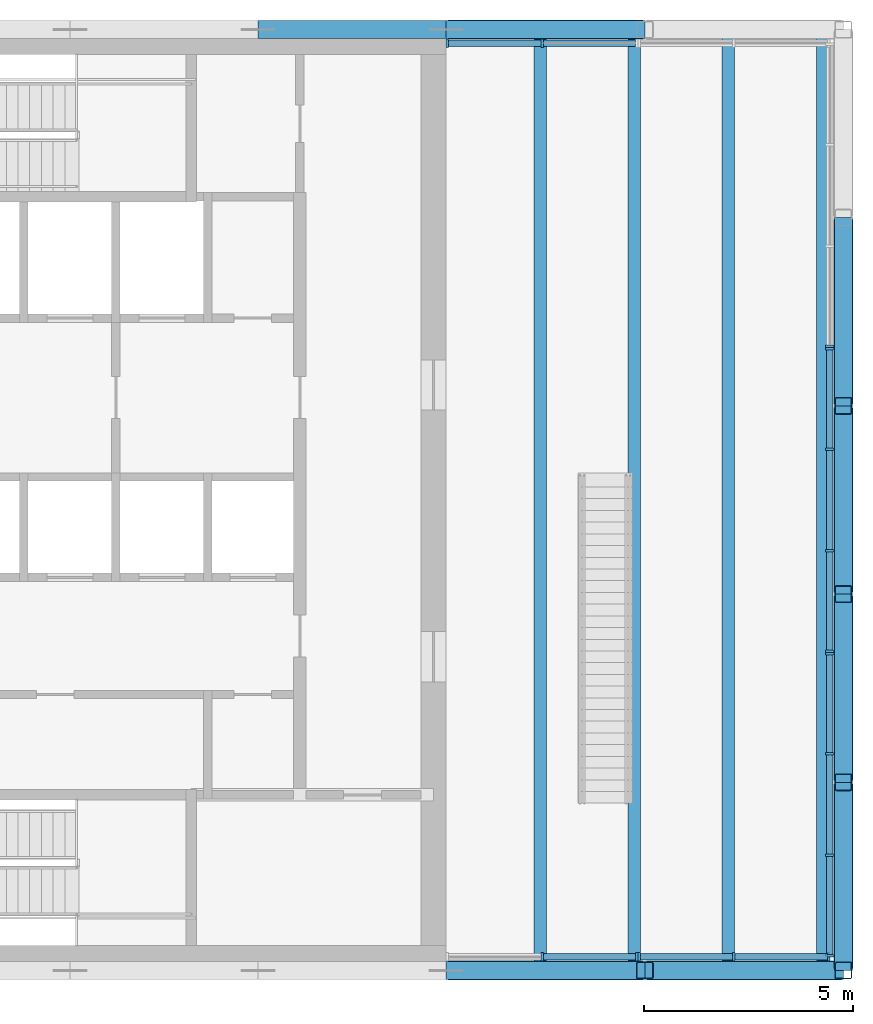
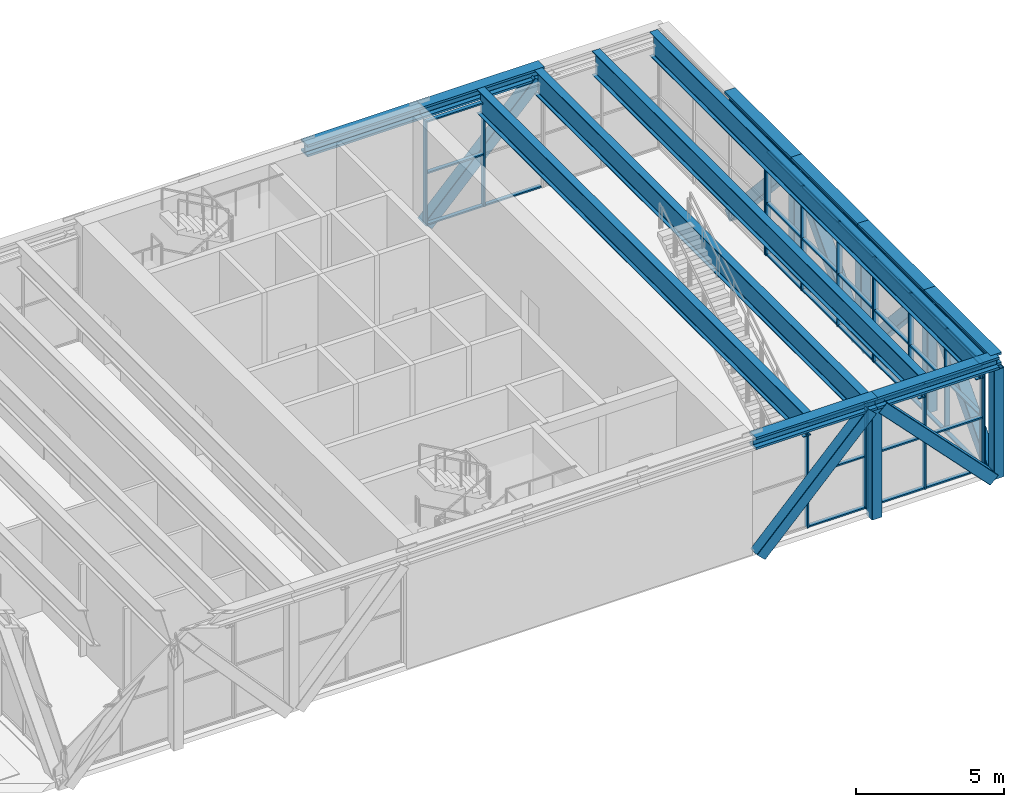
# One storey, part 3 of 13: 67 members, 4 beams, 6 elements without a shape of their own.
"""IFC4 building model written with IfcOpenShell, lengths in metres."""

from ifc_helpers import new_model, si_unit, direction, frame, origin, origin_2d, place, context, subcontext, project, spatial, rectangle, hollow_rectangle, i_section, extrude, material, material_profile, profile_set, type_object, element, aggregate, save


model = new_model("IFC4")

# Units and contexts
model_context = context("Model", 3, precision=1e-05, world=origin(), true_north=direction((0.0, 1.0)))
body_context = subcontext(model_context, "Body", "Model", "MODEL_VIEW")
ifc_project = project(units=[si_unit("LENGTHUNIT", "METRE"), si_unit("AREAUNIT", "SQUARE_METRE"), si_unit("VOLUMEUNIT", "CUBIC_METRE"), si_unit("PLANEANGLEUNIT", "RADIAN"), si_unit("MASSUNIT", "GRAM", prefix="KILO")], contexts=[model_context])

# Site, building, storey
site_placement = place(None, origin())
site = spatial("IfcSite", under=ifc_project, at=site_placement, CompositionType="ELEMENT")
building_placement = place(site_placement, origin())
building = spatial("IfcBuilding", under=site, at=building_placement, Name="Sennacour Bend Tower", CompositionType="ELEMENT")
storey_placement = place(building_placement, frame((0.0, 0.0, 345.5)))
storey = spatial("IfcBuildingStorey", under=building, at=storey_placement, Name="L79", CompositionType="ELEMENT", Elevation=345.5)

# Curtain wall, members
ifc_material_1 = material(Name="Bronze anodised aluminium curtain wall with clear glass", Category="aluminium")
curtain_wall_type = type_object("IfcCurtainWallType", Name="CURTAIN WALL LOUNGE", PredefinedType="NOTDEFINED", material=ifc_material_1)
curtain_wall_1_placement = place(storey_placement, origin())
curtain_wall_1 = element("IfcCurtainWall", 1, at=curtain_wall_1_placement, inside=storey, type_object=curtain_wall_type, Name="Sky lounge glass wall L79", PredefinedType="NOTDEFINED")
ifc_material_2 = material(Name="Aluminium 6063-T6", Category="aluminium")
ifc_material_profile_1 = material_profile(ifc_material_2, rectangle(XDim=0.199951171875, YDim=0.06005859375, at=origin_2d()), Name="Aluminium 6063-T6", Category="aluminium")
ifc_profile_set_1 = profile_set([ifc_material_profile_1], Name="Aluminium 6063-T6")
member_type_1 = type_object("IfcMemberType", Name="CW-MULLION-200X60", PredefinedType="MULLION", material=ifc_profile_set_1)
member_1_placement = place(storey_placement, frame((76.675048828125, 0.35498046875, 0.0), z_axis=(0.0, 0.0, 1.0), x_axis=(-1.0, 0.0, 0.0)))
member_1 = element("IfcMember", 2, at=member_1_placement, type_object=member_type_1, Name="GW4 curtain wall mullion 1", PredefinedType="MULLION", context=body_context, shape_type="SweptSolid", body=[
    extrude(rectangle(XDim=0.199951171875, YDim=0.06005859375, at=origin_2d()), origin(), (0.0, 0.0, 1.0), 4.302001953125),
])
member_2_placement = place(storey_placement, frame((76.675048828125, 2.752685546875, 0.0), z_axis=(0.0, 0.0, 1.0), x_axis=(-1.0, 0.0, 0.0)))
member_2 = element("IfcMember", 3, at=member_2_placement, type_object=member_type_1, Name="GW4 curtain wall mullion 2", PredefinedType="MULLION", context=body_context, shape_type="SweptSolid", body=[
    extrude(rectangle(XDim=0.199951171875, YDim=0.06005859375, at=origin_2d()), origin(), (0.0, 0.0, 1.0), 4.302001953125),
])
member_3_placement = place(storey_placement, frame((76.675048828125, 5.180419921875, 0.0), z_axis=(0.0, 0.0, 1.0), x_axis=(-1.0, 0.0, 0.0)))
member_3 = element("IfcMember", 4, at=member_3_placement, type_object=member_type_1, Name="GW4 curtain wall mullion 3", PredefinedType="MULLION", context=body_context, shape_type="SweptSolid", body=[
    extrude(rectangle(XDim=0.199951171875, YDim=0.06005859375, at=origin_2d()), origin(), (0.0, 0.0, 1.0), 4.302001953125),
])
member_4_placement = place(storey_placement, frame((76.675048828125, 7.578369140625, 0.0), z_axis=(0.0, 0.0, 1.0), x_axis=(-1.0, 0.0, 0.0)))
member_4 = element("IfcMember", 5, at=member_4_placement, type_object=member_type_1, Name="GW4 curtain wall mullion 4", PredefinedType="MULLION", context=body_context, shape_type="SweptSolid", body=[
    extrude(rectangle(XDim=0.199951171875, YDim=0.06005859375, at=origin_2d()), origin(), (0.0, 0.0, 1.0), 4.302001953125),
])

curtain_wall_2_placement = place(storey_placement, origin())
curtain_wall_2 = element("IfcCurtainWall", 6, at=curtain_wall_2_placement, inside=storey, type_object=curtain_wall_type, Name="Sky lounge glass wall L79", PredefinedType="NOTDEFINED")
member_5_placement = place(storey_placement, frame((76.675048828125, 7.63818359375, 0.0), z_axis=(0.0, 0.0, 1.0), x_axis=(-1.0, 0.0, 0.0)))
member_5 = element("IfcMember", 7, at=member_5_placement, type_object=member_type_1, Name="GW4 curtain wall mullion 1", PredefinedType="MULLION", context=body_context, shape_type="SweptSolid", body=[
    extrude(rectangle(XDim=0.199951171875, YDim=0.06005859375, at=origin_2d()), origin(), (0.0, 0.0, 1.0), 4.302001953125),
])
member_6_placement = place(storey_placement, frame((76.675048828125, 10.0361328125, 0.0), z_axis=(0.0, 0.0, 1.0), x_axis=(-1.0, 0.0, 0.0)))
member_6 = element("IfcMember", 8, at=member_6_placement, type_object=member_type_1, Name="GW4 curtain wall mullion 2", PredefinedType="MULLION", context=body_context, shape_type="SweptSolid", body=[
    extrude(rectangle(XDim=0.199951171875, YDim=0.06005859375, at=origin_2d()), origin(), (0.0, 0.0, 1.0), 4.302001953125),
])
member_7_placement = place(storey_placement, frame((76.675048828125, 12.4638671875, 0.0), z_axis=(0.0, 0.0, 1.0), x_axis=(-1.0, 0.0, 0.0)))
member_7 = element("IfcMember", 9, at=member_7_placement, type_object=member_type_1, Name="GW4 curtain wall mullion 3", PredefinedType="MULLION", context=body_context, shape_type="SweptSolid", body=[
    extrude(rectangle(XDim=0.199951171875, YDim=0.06005859375, at=origin_2d()), origin(), (0.0, 0.0, 1.0), 4.302001953125),
])
member_8_placement = place(storey_placement, frame((76.675048828125, 14.86181640625, 0.0), z_axis=(0.0, 0.0, 1.0), x_axis=(-1.0, 0.0, 0.0)))
member_8 = element("IfcMember", 10, at=member_8_placement, type_object=member_type_1, Name="GW4 curtain wall mullion 4", PredefinedType="MULLION", context=body_context, shape_type="SweptSolid", body=[
    extrude(rectangle(XDim=0.199951171875, YDim=0.06005859375, at=origin_2d()), origin(), (0.0, 0.0, 1.0), 4.302001953125),
])

# Curtain wall, member
curtain_wall_3_placement = place(storey_placement, origin())
curtain_wall_3 = element("IfcCurtainWall", 11, at=curtain_wall_3_placement, inside=storey, type_object=curtain_wall_type, Name="Sky lounge glass wall L79", PredefinedType="NOTDEFINED")
member_9_placement = place(storey_placement, frame((76.675048828125, 14.921630859375, 0.0), z_axis=(0.0, 0.0, 1.0), x_axis=(-1.0, 0.0, 0.0)))
member_9 = element("IfcMember", 12, at=member_9_placement, type_object=member_type_1, Name="GW4 curtain wall mullion 1", PredefinedType="MULLION", context=body_context, shape_type="SweptSolid", body=[
    extrude(rectangle(XDim=0.199951171875, YDim=0.06005859375, at=origin_2d()), origin(), (0.0, 0.0, 1.0), 4.302001953125),
])
aggregate(curtain_wall_3, [member_9])

# Curtain wall, members
curtain_wall_4_placement = place(storey_placement, origin())
curtain_wall_4 = element("IfcCurtainWall", 13, at=curtain_wall_4_placement, inside=storey, type_object=curtain_wall_type, Name="Sky lounge glass wall L79", PredefinedType="NOTDEFINED")
member_10_placement = place(storey_placement, frame((69.79443359375, 22.175048828125, 0.0), z_axis=(0.0, 0.0, 1.0), x_axis=(0.0, -1.0, 0.0)))
member_10 = element("IfcMember", 14, at=member_10_placement, type_object=member_type_1, Name="GW4 curtain wall mullion 2", PredefinedType="MULLION", context=body_context, shape_type="SweptSolid", body=[
    extrude(rectangle(XDim=0.199951171875, YDim=0.06005859375, at=origin_2d()), origin(), (0.0, 0.0, 1.0), 4.302001953125),
])
member_11_placement = place(storey_placement, frame((67.531005859375, 22.175048828125, 0.0), z_axis=(0.0, 0.0, 1.0), x_axis=(0.0, -1.0, 0.0)))
member_11 = element("IfcMember", 15, at=member_11_placement, type_object=member_type_1, Name="GW4 curtain wall mullion 3", PredefinedType="MULLION", context=body_context, shape_type="SweptSolid", body=[
    extrude(rectangle(XDim=0.199951171875, YDim=0.06005859375, at=origin_2d()), origin(), (0.0, 0.0, 1.0), 4.302001953125),
])

curtain_wall_5_placement = place(storey_placement, origin())
curtain_wall_5 = element("IfcCurtainWall", 16, at=curtain_wall_5_placement, inside=storey, type_object=curtain_wall_type, Name="Sky lounge glass wall L79", PredefinedType="NOTDEFINED")
member_12_placement = place(storey_placement, frame((69.79443359375, 0.324951171875, 0.0), z_axis=(0.0, 0.0, 1.0), x_axis=(0.0, 1.0, 0.0)))
member_12 = element("IfcMember", 17, at=member_12_placement, type_object=member_type_1, Name="GW4 curtain wall mullion 2", PredefinedType="MULLION", context=body_context, shape_type="SweptSolid", body=[
    extrude(rectangle(XDim=0.199951171875, YDim=0.06005859375, at=origin_2d()), origin(), (0.0, 0.0, 1.0), 4.302001953125),
])
member_13_placement = place(storey_placement, frame((72.05810546875, 0.324951171875, 0.0), z_axis=(0.0, 0.0, 1.0), x_axis=(0.0, 1.0, 0.0)))
member_13 = element("IfcMember", 18, at=member_13_placement, type_object=member_type_1, Name="GW4 curtain wall mullion 3", PredefinedType="MULLION", context=body_context, shape_type="SweptSolid", body=[
    extrude(rectangle(XDim=0.199951171875, YDim=0.06005859375, at=origin_2d()), origin(), (0.0, 0.0, 1.0), 4.302001953125),
])

curtain_wall_6_placement = place(storey_placement, origin())
curtain_wall_6 = element("IfcCurtainWall", 19, at=curtain_wall_6_placement, inside=storey, type_object=curtain_wall_type, Name="Sky lounge glass wall L79", PredefinedType="NOTDEFINED")
member_14_placement = place(storey_placement, frame((72.117919921875, 0.324951171875, 0.0), z_axis=(0.0, 0.0, 1.0), x_axis=(0.0, 1.0, 0.0)))
member_14 = element("IfcMember", 20, at=member_14_placement, type_object=member_type_1, Name="GW4 curtain wall mullion 1", PredefinedType="MULLION", context=body_context, shape_type="SweptSolid", body=[
    extrude(rectangle(XDim=0.199951171875, YDim=0.06005859375, at=origin_2d()), origin(), (0.0, 0.0, 1.0), 4.302001953125),
])
member_15_placement = place(storey_placement, frame((74.381591796875, 0.324951171875, 0.0), z_axis=(0.0, 0.0, 1.0), x_axis=(0.0, 1.0, 0.0)))
member_15 = element("IfcMember", 21, at=member_15_placement, type_object=member_type_1, Name="GW4 curtain wall mullion 2", PredefinedType="MULLION", context=body_context, shape_type="SweptSolid", body=[
    extrude(rectangle(XDim=0.199951171875, YDim=0.06005859375, at=origin_2d()), origin(), (0.0, 0.0, 1.0), 4.302001953125),
])
member_16_placement = place(storey_placement, frame((76.64501953125, 0.324951171875, 0.0), z_axis=(0.0, 0.0, 1.0), x_axis=(0.0, 1.0, 0.0)))
member_16 = element("IfcMember", 22, at=member_16_placement, type_object=member_type_1, Name="GW4 curtain wall mullion 3", PredefinedType="MULLION", context=body_context, shape_type="SweptSolid", body=[
    extrude(rectangle(XDim=0.199951171875, YDim=0.06005859375, at=origin_2d()), origin(), (0.0, 0.0, 1.0), 4.302001953125),
])

# Member
ifc_material_profile_2 = material_profile(ifc_material_2, rectangle(XDim=0.14990234375, YDim=0.06005859375, at=origin_2d()), Name="Aluminium 6063-T6", Category="aluminium")
ifc_profile_set_2 = profile_set([ifc_material_profile_2], Name="Aluminium 6063-T6")
member_type_2 = type_object("IfcMemberType", Name="CW-TRANSOM-150X60", PredefinedType="USERDEFINED", material=ifc_profile_set_2)
member_17_placement = place(storey_placement, frame((76.675048828125, 0.385009765625, 0.030029296875), z_axis=(0.0, 1.0, 0.0), x_axis=(-1.0, 0.0, 0.0)))
member_17 = element("IfcMember", 23, at=member_17_placement, type_object=member_type_2, Name="GW4 curtain wall transom 1.1", ObjectType="TRANSOM", PredefinedType="USERDEFINED", context=body_context, shape_type="SweptSolid", body=[
    extrude(rectangle(XDim=0.14990234375, YDim=0.06005859375, at=origin_2d()), origin(), (0.0, 0.0, 1.0), 2.337646484375),
])

member_18_placement = place(storey_placement, frame((76.675048828125, 0.385009765625, 2.15087890625), z_axis=(0.0, 1.0, 0.0), x_axis=(-1.0, 0.0, 0.0)))
member_18 = element("IfcMember", 24, at=member_18_placement, type_object=member_type_2, Name="GW4 curtain wall transom 1.2", ObjectType="TRANSOM", PredefinedType="USERDEFINED", context=body_context, shape_type="SweptSolid", body=[
    extrude(rectangle(XDim=0.14990234375, YDim=0.06005859375, at=origin_2d()), origin(), (0.0, 0.0, 1.0), 2.337646484375),
])

member_19_placement = place(storey_placement, frame((76.675048828125, 0.385009765625, 4.27197265625), z_axis=(0.0, 1.0, 0.0), x_axis=(-1.0, 0.0, 0.0)))
member_19 = element("IfcMember", 25, at=member_19_placement, type_object=member_type_2, Name="GW4 curtain wall transom 1.3", ObjectType="TRANSOM", PredefinedType="USERDEFINED", context=body_context, shape_type="SweptSolid", body=[
    extrude(rectangle(XDim=0.14990234375, YDim=0.06005859375, at=origin_2d()), origin(), (0.0, 0.0, 1.0), 2.337646484375),
])

member_20_placement = place(storey_placement, frame((76.675048828125, 2.78271484375, 0.030029296875), z_axis=(0.0, 1.0, 0.0), x_axis=(-1.0, 0.0, 0.0)))
member_20 = element("IfcMember", 26, at=member_20_placement, type_object=member_type_2, Name="GW4 curtain wall transom 2.1", ObjectType="TRANSOM", PredefinedType="USERDEFINED", context=body_context, shape_type="SweptSolid", body=[
    extrude(rectangle(XDim=0.14990234375, YDim=0.06005859375, at=origin_2d()), origin(), (0.0, 0.0, 1.0), 2.367919921875),
])

member_21_placement = place(storey_placement, frame((76.675048828125, 2.78271484375, 2.15087890625), z_axis=(0.0, 1.0, 0.0), x_axis=(-1.0, 0.0, 0.0)))
member_21 = element("IfcMember", 27, at=member_21_placement, type_object=member_type_2, Name="GW4 curtain wall transom 2.2", ObjectType="TRANSOM", PredefinedType="USERDEFINED", context=body_context, shape_type="SweptSolid", body=[
    extrude(rectangle(XDim=0.14990234375, YDim=0.06005859375, at=origin_2d()), origin(), (0.0, 0.0, 1.0), 2.367919921875),
])

member_22_placement = place(storey_placement, frame((76.675048828125, 2.78271484375, 4.27197265625), z_axis=(0.0, 1.0, 0.0), x_axis=(-1.0, 0.0, 0.0)))
member_22 = element("IfcMember", 28, at=member_22_placement, type_object=member_type_2, Name="GW4 curtain wall transom 2.3", ObjectType="TRANSOM", PredefinedType="USERDEFINED", context=body_context, shape_type="SweptSolid", body=[
    extrude(rectangle(XDim=0.14990234375, YDim=0.06005859375, at=origin_2d()), origin(), (0.0, 0.0, 1.0), 2.367919921875),
])

member_23_placement = place(storey_placement, frame((76.675048828125, 5.21044921875, 0.030029296875), z_axis=(0.0, 1.0, 0.0), x_axis=(-1.0, 0.0, 0.0)))
member_23 = element("IfcMember", 29, at=member_23_placement, type_object=member_type_2, Name="GW4 curtain wall transom 3.1", ObjectType="TRANSOM", PredefinedType="USERDEFINED", context=body_context, shape_type="SweptSolid", body=[
    extrude(rectangle(XDim=0.14990234375, YDim=0.06005859375, at=origin_2d()), origin(), (0.0, 0.0, 1.0), 2.337890625),
])

member_24_placement = place(storey_placement, frame((76.675048828125, 5.21044921875, 2.15087890625), z_axis=(0.0, 1.0, 0.0), x_axis=(-1.0, 0.0, 0.0)))
member_24 = element("IfcMember", 30, at=member_24_placement, type_object=member_type_2, Name="GW4 curtain wall transom 3.2", ObjectType="TRANSOM", PredefinedType="USERDEFINED", context=body_context, shape_type="SweptSolid", body=[
    extrude(rectangle(XDim=0.14990234375, YDim=0.06005859375, at=origin_2d()), origin(), (0.0, 0.0, 1.0), 2.337890625),
])

member_25_placement = place(storey_placement, frame((76.675048828125, 5.21044921875, 4.27197265625), z_axis=(0.0, 1.0, 0.0), x_axis=(-1.0, 0.0, 0.0)))
member_25 = element("IfcMember", 31, at=member_25_placement, type_object=member_type_2, Name="GW4 curtain wall transom 3.3", ObjectType="TRANSOM", PredefinedType="USERDEFINED", context=body_context, shape_type="SweptSolid", body=[
    extrude(rectangle(XDim=0.14990234375, YDim=0.06005859375, at=origin_2d()), origin(), (0.0, 0.0, 1.0), 2.337890625),
])

aggregate(curtain_wall_1, [member_1, member_2, member_3, member_4, member_17, member_18, member_19, member_20, member_21, member_22, member_23, member_24, member_25])

member_26_placement = place(storey_placement, frame((76.675048828125, 7.668212890625, 0.030029296875), z_axis=(0.0, 1.0, 0.0), x_axis=(-1.0, 0.0, 0.0)))
member_26 = element("IfcMember", 32, at=member_26_placement, type_object=member_type_2, Name="GW4 curtain wall transom 1.1", ObjectType="TRANSOM", PredefinedType="USERDEFINED", context=body_context, shape_type="SweptSolid", body=[
    extrude(rectangle(XDim=0.14990234375, YDim=0.06005859375, at=origin_2d()), origin(), (0.0, 0.0, 1.0), 2.337890625),
])

member_27_placement = place(storey_placement, frame((76.675048828125, 7.668212890625, 2.15087890625), z_axis=(0.0, 1.0, 0.0), x_axis=(-1.0, 0.0, 0.0)))
member_27 = element("IfcMember", 33, at=member_27_placement, type_object=member_type_2, Name="GW4 curtain wall transom 1.2", ObjectType="TRANSOM", PredefinedType="USERDEFINED", context=body_context, shape_type="SweptSolid", body=[
    extrude(rectangle(XDim=0.14990234375, YDim=0.06005859375, at=origin_2d()), origin(), (0.0, 0.0, 1.0), 2.337890625),
])

member_28_placement = place(storey_placement, frame((76.675048828125, 7.668212890625, 4.27197265625), z_axis=(0.0, 1.0, 0.0), x_axis=(-1.0, 0.0, 0.0)))
member_28 = element("IfcMember", 34, at=member_28_placement, type_object=member_type_2, Name="GW4 curtain wall transom 1.3", ObjectType="TRANSOM", PredefinedType="USERDEFINED", context=body_context, shape_type="SweptSolid", body=[
    extrude(rectangle(XDim=0.14990234375, YDim=0.06005859375, at=origin_2d()), origin(), (0.0, 0.0, 1.0), 2.337890625),
])

member_29_placement = place(storey_placement, frame((76.675048828125, 10.066162109375, 0.030029296875), z_axis=(0.0, 1.0, 0.0), x_axis=(-1.0, 0.0, 0.0)))
member_29 = element("IfcMember", 35, at=member_29_placement, type_object=member_type_2, Name="GW4 curtain wall transom 2.1", ObjectType="TRANSOM", PredefinedType="USERDEFINED", context=body_context, shape_type="SweptSolid", body=[
    extrude(rectangle(XDim=0.14990234375, YDim=0.06005859375, at=origin_2d()), origin(), (0.0, 0.0, 1.0), 2.36767578125),
])

member_30_placement = place(storey_placement, frame((76.675048828125, 10.066162109375, 2.15087890625), z_axis=(0.0, 1.0, 0.0), x_axis=(-1.0, 0.0, 0.0)))
member_30 = element("IfcMember", 36, at=member_30_placement, type_object=member_type_2, Name="GW4 curtain wall transom 2.2", ObjectType="TRANSOM", PredefinedType="USERDEFINED", context=body_context, shape_type="SweptSolid", body=[
    extrude(rectangle(XDim=0.14990234375, YDim=0.06005859375, at=origin_2d()), origin(), (0.0, 0.0, 1.0), 2.36767578125),
])

member_31_placement = place(storey_placement, frame((76.675048828125, 10.066162109375, 4.27197265625), z_axis=(0.0, 1.0, 0.0), x_axis=(-1.0, 0.0, 0.0)))
member_31 = element("IfcMember", 37, at=member_31_placement, type_object=member_type_2, Name="GW4 curtain wall transom 2.3", ObjectType="TRANSOM", PredefinedType="USERDEFINED", context=body_context, shape_type="SweptSolid", body=[
    extrude(rectangle(XDim=0.14990234375, YDim=0.06005859375, at=origin_2d()), origin(), (0.0, 0.0, 1.0), 2.36767578125),
])

member_32_placement = place(storey_placement, frame((76.675048828125, 12.493896484375, 0.030029296875), z_axis=(0.0, 1.0, 0.0), x_axis=(-1.0, 0.0, 0.0)))
member_32 = element("IfcMember", 38, at=member_32_placement, type_object=member_type_2, Name="GW4 curtain wall transom 3.1", ObjectType="TRANSOM", PredefinedType="USERDEFINED", context=body_context, shape_type="SweptSolid", body=[
    extrude(rectangle(XDim=0.14990234375, YDim=0.06005859375, at=origin_2d()), origin(), (0.0, 0.0, 1.0), 2.337890625),
])

member_33_placement = place(storey_placement, frame((76.675048828125, 12.493896484375, 2.15087890625), z_axis=(0.0, 1.0, 0.0), x_axis=(-1.0, 0.0, 0.0)))
member_33 = element("IfcMember", 39, at=member_33_placement, type_object=member_type_2, Name="GW4 curtain wall transom 3.2", ObjectType="TRANSOM", PredefinedType="USERDEFINED", context=body_context, shape_type="SweptSolid", body=[
    extrude(rectangle(XDim=0.14990234375, YDim=0.06005859375, at=origin_2d()), origin(), (0.0, 0.0, 1.0), 2.337890625),
])

member_34_placement = place(storey_placement, frame((76.675048828125, 12.493896484375, 4.27197265625), z_axis=(0.0, 1.0, 0.0), x_axis=(-1.0, 0.0, 0.0)))
member_34 = element("IfcMember", 40, at=member_34_placement, type_object=member_type_2, Name="GW4 curtain wall transom 3.3", ObjectType="TRANSOM", PredefinedType="USERDEFINED", context=body_context, shape_type="SweptSolid", body=[
    extrude(rectangle(XDim=0.14990234375, YDim=0.06005859375, at=origin_2d()), origin(), (0.0, 0.0, 1.0), 2.337890625),
])

aggregate(curtain_wall_2, [member_5, member_6, member_7, member_8, member_26, member_27, member_28, member_29, member_30, member_31, member_32, member_33, member_34])

member_35_placement = place(storey_placement, frame((72.028076171875, 22.175048828125, 0.030029296875), z_axis=(-1.0, 0.0, 0.0), x_axis=(0.0, -1.0, 0.0)))
member_35 = element("IfcMember", 41, at=member_35_placement, type_object=member_type_2, Name="GW4 curtain wall transom 1.1", ObjectType="TRANSOM", PredefinedType="USERDEFINED", context=body_context, shape_type="SweptSolid", body=[
    extrude(rectangle(XDim=0.14990234375, YDim=0.06005859375, at=origin_2d()), origin(), (0.0, 0.0, 1.0), 2.20361328125),
])

member_36_placement = place(storey_placement, frame((69.764404296875, 22.175048828125, 0.030029296875), z_axis=(-1.0, 0.0, 0.0), x_axis=(0.0, -1.0, 0.0)))
member_36 = element("IfcMember", 42, at=member_36_placement, type_object=member_type_2, Name="GW4 curtain wall transom 2.1", ObjectType="TRANSOM", PredefinedType="USERDEFINED", context=body_context, shape_type="SweptSolid", body=[
    extrude(rectangle(XDim=0.14990234375, YDim=0.06005859375, at=origin_2d()), origin(), (0.0, 0.0, 1.0), 2.203369140625),
])

member_37_placement = place(storey_placement, frame((69.764404296875, 22.175048828125, 2.15087890625), z_axis=(-1.0, 0.0, 0.0), x_axis=(0.0, -1.0, 0.0)))
member_37 = element("IfcMember", 43, at=member_37_placement, type_object=member_type_2, Name="GW4 curtain wall transom 2.2", ObjectType="TRANSOM", PredefinedType="USERDEFINED", context=body_context, shape_type="SweptSolid", body=[
    extrude(rectangle(XDim=0.14990234375, YDim=0.06005859375, at=origin_2d()), origin(), (0.0, 0.0, 1.0), 2.203369140625),
])

member_38_placement = place(storey_placement, frame((69.764404296875, 22.175048828125, 4.27197265625), z_axis=(-1.0, 0.0, 0.0), x_axis=(0.0, -1.0, 0.0)))
member_38 = element("IfcMember", 44, at=member_38_placement, type_object=member_type_2, Name="GW4 curtain wall transom 2.3", ObjectType="TRANSOM", PredefinedType="USERDEFINED", context=body_context, shape_type="SweptSolid", body=[
    extrude(rectangle(XDim=0.14990234375, YDim=0.06005859375, at=origin_2d()), origin(), (0.0, 0.0, 1.0), 2.203369140625),
])

aggregate(curtain_wall_4, [member_10, member_11, member_35, member_36, member_37, member_38])

member_39_placement = place(storey_placement, frame((69.824462890625, 0.324951171875, 0.030029296875), z_axis=(1.0, 0.0, 0.0), x_axis=(0.0, 1.0, 0.0)))
member_39 = element("IfcMember", 45, at=member_39_placement, type_object=member_type_2, Name="GW4 curtain wall transom 2.1", ObjectType="TRANSOM", PredefinedType="USERDEFINED", context=body_context, shape_type="SweptSolid", body=[
    extrude(rectangle(XDim=0.14990234375, YDim=0.06005859375, at=origin_2d()), origin(), (0.0, 0.0, 1.0), 2.20361328125),
])

member_40_placement = place(storey_placement, frame((69.824462890625, 0.324951171875, 2.15087890625), z_axis=(1.0, 0.0, 0.0), x_axis=(0.0, 1.0, 0.0)))
member_40 = element("IfcMember", 46, at=member_40_placement, type_object=member_type_2, Name="GW4 curtain wall transom 2.2", ObjectType="TRANSOM", PredefinedType="USERDEFINED", context=body_context, shape_type="SweptSolid", body=[
    extrude(rectangle(XDim=0.14990234375, YDim=0.06005859375, at=origin_2d()), origin(), (0.0, 0.0, 1.0), 2.20361328125),
])

member_41_placement = place(storey_placement, frame((69.824462890625, 0.324951171875, 4.27197265625), z_axis=(1.0, 0.0, 0.0), x_axis=(0.0, 1.0, 0.0)))
member_41 = element("IfcMember", 47, at=member_41_placement, type_object=member_type_2, Name="GW4 curtain wall transom 2.3", ObjectType="TRANSOM", PredefinedType="USERDEFINED", context=body_context, shape_type="SweptSolid", body=[
    extrude(rectangle(XDim=0.14990234375, YDim=0.06005859375, at=origin_2d()), origin(), (0.0, 0.0, 1.0), 2.20361328125),
])

aggregate(curtain_wall_5, [member_12, member_13, member_39, member_40, member_41])

member_42_placement = place(storey_placement, frame((72.14794921875, 0.324951171875, 0.030029296875), z_axis=(1.0, 0.0, 0.0), x_axis=(0.0, 1.0, 0.0)))
member_42 = element("IfcMember", 48, at=member_42_placement, type_object=member_type_2, Name="GW4 curtain wall transom 1.1", ObjectType="TRANSOM", PredefinedType="USERDEFINED", context=body_context, shape_type="SweptSolid", body=[
    extrude(rectangle(XDim=0.14990234375, YDim=0.06005859375, at=origin_2d()), origin(), (0.0, 0.0, 1.0), 2.20361328125),
])

member_43_placement = place(storey_placement, frame((72.14794921875, 0.324951171875, 2.15087890625), z_axis=(1.0, 0.0, 0.0), x_axis=(0.0, 1.0, 0.0)))
member_43 = element("IfcMember", 49, at=member_43_placement, type_object=member_type_2, Name="GW4 curtain wall transom 1.2", ObjectType="TRANSOM", PredefinedType="USERDEFINED", context=body_context, shape_type="SweptSolid", body=[
    extrude(rectangle(XDim=0.14990234375, YDim=0.06005859375, at=origin_2d()), origin(), (0.0, 0.0, 1.0), 2.20361328125),
])

member_44_placement = place(storey_placement, frame((72.14794921875, 0.324951171875, 4.27197265625), z_axis=(1.0, 0.0, 0.0), x_axis=(0.0, 1.0, 0.0)))
member_44 = element("IfcMember", 50, at=member_44_placement, type_object=member_type_2, Name="GW4 curtain wall transom 1.3", ObjectType="TRANSOM", PredefinedType="USERDEFINED", context=body_context, shape_type="SweptSolid", body=[
    extrude(rectangle(XDim=0.14990234375, YDim=0.06005859375, at=origin_2d()), origin(), (0.0, 0.0, 1.0), 2.20361328125),
])

member_45_placement = place(storey_placement, frame((74.41162109375, 0.324951171875, 0.030029296875), z_axis=(1.0, 0.0, 0.0), x_axis=(0.0, 1.0, 0.0)))
member_45 = element("IfcMember", 51, at=member_45_placement, type_object=member_type_2, Name="GW4 curtain wall transom 2.1", ObjectType="TRANSOM", PredefinedType="USERDEFINED", context=body_context, shape_type="SweptSolid", body=[
    extrude(rectangle(XDim=0.14990234375, YDim=0.06005859375, at=origin_2d()), origin(), (0.0, 0.0, 1.0), 2.203369140625),
])

member_46_placement = place(storey_placement, frame((74.41162109375, 0.324951171875, 2.15087890625), z_axis=(1.0, 0.0, 0.0), x_axis=(0.0, 1.0, 0.0)))
member_46 = element("IfcMember", 52, at=member_46_placement, type_object=member_type_2, Name="GW4 curtain wall transom 2.2", ObjectType="TRANSOM", PredefinedType="USERDEFINED", context=body_context, shape_type="SweptSolid", body=[
    extrude(rectangle(XDim=0.14990234375, YDim=0.06005859375, at=origin_2d()), origin(), (0.0, 0.0, 1.0), 2.203369140625),
])

member_47_placement = place(storey_placement, frame((74.41162109375, 0.324951171875, 4.27197265625), z_axis=(1.0, 0.0, 0.0), x_axis=(0.0, 1.0, 0.0)))
member_47 = element("IfcMember", 53, at=member_47_placement, type_object=member_type_2, Name="GW4 curtain wall transom 2.3", ObjectType="TRANSOM", PredefinedType="USERDEFINED", context=body_context, shape_type="SweptSolid", body=[
    extrude(rectangle(XDim=0.14990234375, YDim=0.06005859375, at=origin_2d()), origin(), (0.0, 0.0, 1.0), 2.203369140625),
])

aggregate(curtain_wall_6, [member_14, member_15, member_16, member_42, member_43, member_44, member_45, member_46, member_47])

# Beams
ifc_material_3 = material(Name="Steel ASTM A992 Grade 50", Category="steel")
ifc_material_profile_3 = material_profile(ifc_material_3, i_section(OverallWidth=0.300048828125, OverallDepth=0.990966796875, WebThickness=0.0166015625, FlangeThickness=0.030517578125, FilletRadius=0.030029296875, at=origin_2d()), Name="Steel ASTM A992 Grade 50", Category="steel")
ifc_profile_set_3 = profile_set([ifc_material_profile_3], Name="Steel ASTM A992 Grade 50")
beam_type = type_object("IfcBeamType", Name="Floor beam W1000X272", PredefinedType="BEAM", material=ifc_profile_set_3)
for number, where, z_axis, x_axis, name in (
    (54, (69.75, 0.216064453125, 4.304443359375), (0.0, 1.0, 0.0), (-1.0, 0.0, 0.0), "Floor beam FBM3 L80-006"),
    (55, (72.0, 0.216064453125, 4.304443359375), (0.0, 1.0, 0.0), (-1.0, 0.0, 0.0), "Floor beam FBM3 L80-007"),
    (56, (74.25, 0.216064453125, 4.304443359375), (0.0, 1.0, 0.0), (-1.0, 0.0, 0.0), "Floor beam FBM3 L80-008"),
    (57, (76.5, 0.216064453125, 4.304443359375), (0.0, 1.0, 0.0), (-1.0, 0.0, 0.0), "Floor beam FBM3 L80-009"),
):
    element("IfcBeam", number, at=place(storey_placement, frame(where, z_axis=z_axis, x_axis=x_axis)), inside=storey, type_object=beam_type, Name=name, PredefinedType="BEAM", context=body_context, shape_type="SweptSolid", body=[
        extrude(i_section(OverallWidth=0.300048828125, OverallDepth=0.990966796875, WebThickness=0.0166015625, FlangeThickness=0.030517578125, FilletRadius=0.030029296875, at=origin_2d()), origin(), (0.0, 0.0, 1.0), 22.06787109375),
    ])

# Members
ifc_material_profile_4 = material_profile(ifc_material_3, i_section(OverallWidth=0.431884765625, OverallDepth=0.498046875, WebThickness=0.0556640625, FlangeThickness=0.0888671875, FilletRadius=0.01513671875, at=origin_2d()), Name="Steel ASTM A992 Grade 50", Category="steel")
ifc_profile_set_4 = profile_set([ifc_material_profile_4], Name="Steel ASTM A992 Grade 50")
member_type_3 = type_object("IfcMemberType", Name="Lounge truss chord W360X744", PredefinedType="CHORD", material=ifc_profile_set_4)
for number, where, z_axis, x_axis, name in (
    (58, (67.5, 0.0, 4.551025390625), (1.0, 0.0, 0.0), (0.0, 1.0, 0.0), "Lounge truss chord LTC L80-007"),
    (59, (72.25, 0.0, 4.551025390625), (1.0, 0.0, 0.0), (0.0, 1.0, 0.0), "Lounge truss chord LTC L80-008"),
):
    element("IfcMember", number, at=place(storey_placement, frame(where, z_axis=z_axis, x_axis=x_axis)), inside=storey, type_object=member_type_3, Name=name, PredefinedType="CHORD", context=body_context, shape_type="SweptSolid", body=[
        extrude(i_section(OverallWidth=0.431884765625, OverallDepth=0.498046875, WebThickness=0.0556640625, FlangeThickness=0.0888671875, FilletRadius=0.01513671875, at=origin_2d()), origin(), (0.0, 0.0, 1.0), 4.75),
    ])
member_48_placement = place(storey_placement, frame((63.0, 22.5, 4.551025390625), z_axis=(1.0, 0.0, 0.0), x_axis=(0.0, 1.0, 0.0)))
element("IfcMember", 60, at=member_48_placement, inside=storey, type_object=member_type_3, Name="Lounge truss chord LTC L80-014", PredefinedType="CHORD", context=body_context, shape_type="SweptSolid", body=[
    extrude(i_section(OverallWidth=0.431884765625, OverallDepth=0.498046875, WebThickness=0.0556640625, FlangeThickness=0.0888671875, FilletRadius=0.01513671875, at=origin_2d()), origin(), (0.0, 0.0, 1.0), 4.5),
])
member_49_placement = place(storey_placement, frame((67.5, 22.5, 4.551025390625), z_axis=(1.0, 0.0, 0.0), x_axis=(0.0, 1.0, 0.0)))
element("IfcMember", 61, at=member_49_placement, inside=storey, type_object=member_type_3, Name="Lounge truss chord LTC L80-015", PredefinedType="CHORD", context=body_context, shape_type="SweptSolid", body=[
    extrude(i_section(OverallWidth=0.431884765625, OverallDepth=0.498046875, WebThickness=0.0556640625, FlangeThickness=0.0888671875, FilletRadius=0.01513671875, at=origin_2d()), origin(), (0.0, 0.0, 1.0), 4.75),
])
for number, where, z_axis, x_axis, name in (
    (62, (77.0, 0.0, 4.551025390625), (0.0, 1.0, 0.0), (-1.0, 0.0, 0.0), "Lounge truss chord LTC L80-022"),
    (63, (77.0, 4.5, 4.551025390625), (0.0, 1.0, 0.0), (-1.0, 0.0, 0.0), "Lounge truss chord LTC L80-023"),
    (64, (77.0, 9.0, 4.551025390625), (0.0, 1.0, 0.0), (-1.0, 0.0, 0.0), "Lounge truss chord LTC L80-024"),
    (65, (77.0, 13.5, 4.551025390625), (0.0, 1.0, 0.0), (-1.0, 0.0, 0.0), "Lounge truss chord LTC L80-025"),
):
    element("IfcMember", number, at=place(storey_placement, frame(where, z_axis=z_axis, x_axis=x_axis)), inside=storey, type_object=member_type_3, Name=name, PredefinedType="CHORD", context=body_context, shape_type="SweptSolid", body=[
        extrude(i_section(OverallWidth=0.431884765625, OverallDepth=0.498046875, WebThickness=0.0556640625, FlangeThickness=0.0888671875, FilletRadius=0.01513671875, at=origin_2d()), origin(), (0.0, 0.0, 1.0), 4.5),
    ])
ifc_material_4 = material(Name="Steel ASTM A500 Grade C", Category="steel")
ifc_material_profile_5 = material_profile(ifc_material_4, hollow_rectangle(XDim=0.457275390625, YDim=0.457275390625, WallThickness=0.015869140625, InnerFilletRadius=0.015869140625, OuterFilletRadius=0.03173828125, at=origin_2d()), Name="Steel ASTM A500 Grade C", Category="steel")
ifc_profile_set_5 = profile_set([ifc_material_profile_5], Name="Steel ASTM A500 Grade C")
member_type_4 = type_object("IfcMemberType", Name="Lounge truss diagonal 457", PredefinedType="BRACE", material=ifc_profile_set_5)
for number, where, z_axis, x_axis, name in (
    (66, (67.703125, 0.0, -0.199951171875), (0.69434931849, 0.0, 0.719638120108), (0.0, 1.0, 0.0), "Lounge truss diagonal LD L79-004"),
    (67, (72.453125, 0.0, 4.302001953125), (0.69434931849, 0.0, -0.719638120108), (0.0, 1.0, 0.0), "Lounge truss diagonal LD L79-005"),
    (68, (67.703125, 22.5, -0.199951171875), (0.69434931849, 0.0, 0.719638120108), (0.0, 1.0, 0.0), "Lounge truss diagonal LD L79-009"),
):
    element("IfcMember", number, at=place(storey_placement, frame(where, z_axis=z_axis, x_axis=x_axis)), inside=storey, type_object=member_type_4, Name=name, PredefinedType="BRACE", context=body_context, shape_type="SweptSolid", body=[
        extrude(hollow_rectangle(XDim=0.457275390625, YDim=0.457275390625, WallThickness=0.015869140625, InnerFilletRadius=0.015869140625, OuterFilletRadius=0.03173828125, at=origin_2d()), origin(), (0.0, 0.0, 1.0), 6.255859375),
    ])
for number, where, z_axis, x_axis, name in (
    (69, (77.0, 0.203125, -0.199951171875), (0.0, 0.672768645858, 0.739852923999), (-1.0, 0.0, 0.0), "Lounge truss diagonal LD L79-014"),
    (70, (77.0, 4.703125, 4.302001953125), (0.0, 0.672768645858, -0.739852923999), (-1.0, 0.0, 0.0), "Lounge truss diagonal LD L79-015"),
    (71, (77.0, 9.203125, -0.199951171875), (0.0, 0.672768645858, 0.739852923999), (-1.0, 0.0, 0.0), "Lounge truss diagonal LD L79-016"),
    (72, (77.0, 13.703125, 4.302001953125), (0.0, 0.672768645858, -0.739852923999), (-1.0, 0.0, 0.0), "Lounge truss diagonal LD L79-017"),
):
    element("IfcMember", number, at=place(storey_placement, frame(where, z_axis=z_axis, x_axis=x_axis)), inside=storey, type_object=member_type_4, Name=name, PredefinedType="BRACE", context=body_context, shape_type="SweptSolid", body=[
        extrude(hollow_rectangle(XDim=0.457275390625, YDim=0.457275390625, WallThickness=0.015869140625, InnerFilletRadius=0.015869140625, OuterFilletRadius=0.03173828125, at=origin_2d()), origin(), (0.0, 0.0, 1.0), 6.0849609375),
    ])
ifc_material_profile_6 = material_profile(ifc_material_4, hollow_rectangle(XDim=0.406494140625, YDim=0.406494140625, WallThickness=0.01904296875, InnerFilletRadius=0.01904296875, OuterFilletRadius=0.0380859375, at=origin_2d()), Name="Steel ASTM A500 Grade C", Category="steel")
ifc_profile_set_6 = profile_set([ifc_material_profile_6], Name="Steel ASTM A500 Grade C")
member_type_5 = type_object("IfcMemberType", Name="Lounge truss post 406", PredefinedType="POST", material=ifc_profile_set_6)
for number, where, z_axis, x_axis, name in (
    (73, (72.25, 0.0, -0.199951171875), (0.0, 0.0, 1.0), (1.0, 0.0, 0.0), "Lounge truss post LP L79-004"),
    (74, (77.0, 0.0, -0.199951171875), (0.0, 0.0, 1.0), (1.0, 0.0, 0.0), "Lounge truss post LP L79-005"),
    (75, (77.0, 4.5, -0.199951171875), (0.0, 0.0, 1.0), (1.0, 0.0, 0.0), "Lounge truss post LP L79-015"),
    (76, (77.0, 9.0, -0.199951171875), (0.0, 0.0, 1.0), (1.0, 0.0, 0.0), "Lounge truss post LP L79-016"),
    (77, (77.0, 13.5, -0.199951171875), (0.0, 0.0, 1.0), (1.0, 0.0, 0.0), "Lounge truss post LP L79-017"),
):
    element("IfcMember", number, at=place(storey_placement, frame(where, z_axis=z_axis, x_axis=x_axis)), inside=storey, type_object=member_type_5, Name=name, PredefinedType="POST", context=body_context, shape_type="SweptSolid", body=[
        extrude(hollow_rectangle(XDim=0.406494140625, YDim=0.406494140625, WallThickness=0.01904296875, InnerFilletRadius=0.01904296875, OuterFilletRadius=0.0380859375, at=origin_2d()), origin(), (0.0, 0.0, 1.0), 4.501953125),
    ])

save(model, "model.ifc")
